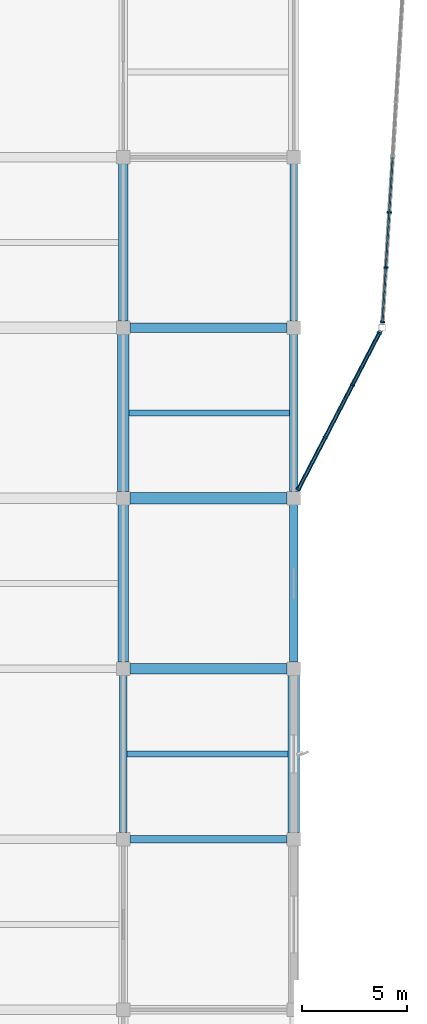
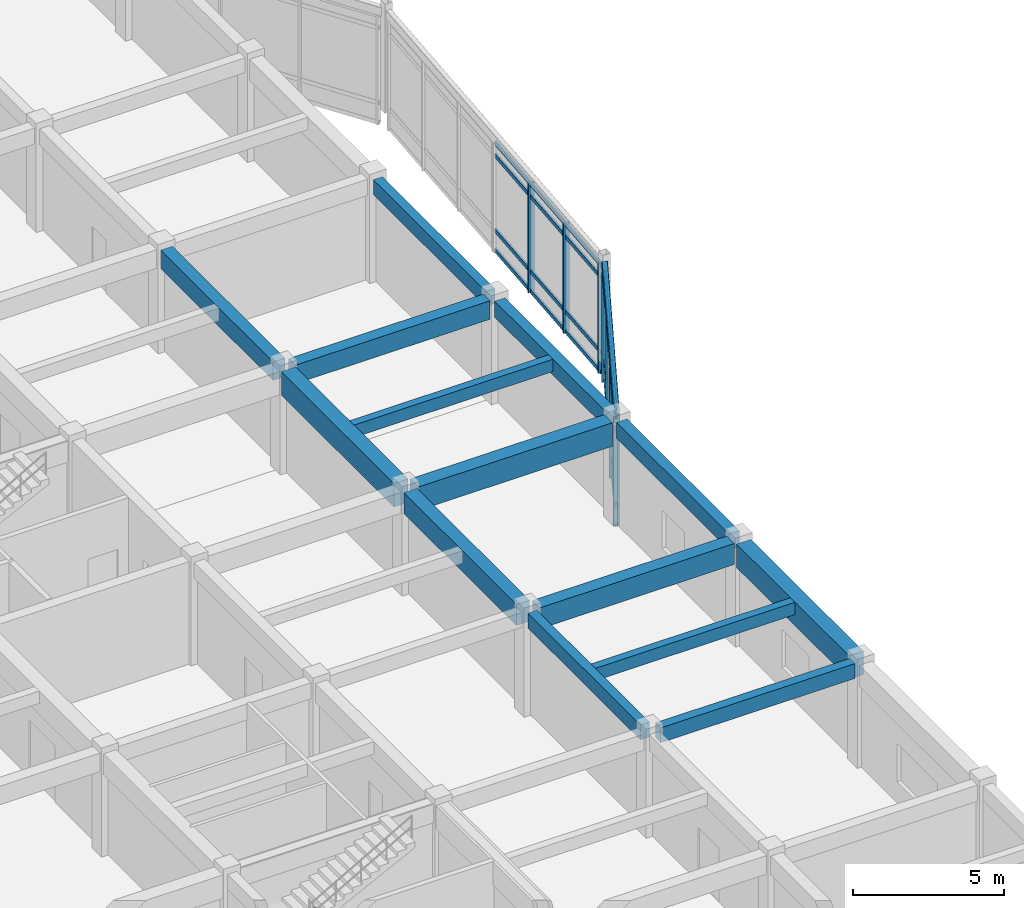
# One storey, part 16 of 40: 15 beams, 15 members, 2 elements without a shape of their own.
"""IFC4 building model written with IfcOpenShell, lengths in metres."""

from ifc_helpers import new_model, si_unit, direction, frame, origin, origin_2d, place, context, subcontext, project, spatial, rectangle, hollow_rectangle, extrude, material, layer, layer_set, material_profile, profile_set, type_object, element, aggregate, save


model = new_model("IFC4")

# Units and contexts
model_context = context("Model", 3, precision=1e-05, world=origin(), true_north=direction((0.0, 1.0)))
body_context = subcontext(model_context, "Body", "Model", "MODEL_VIEW")
ifc_project = project(units=[si_unit("LENGTHUNIT", "METRE"), si_unit("AREAUNIT", "SQUARE_METRE"), si_unit("VOLUMEUNIT", "CUBIC_METRE"), si_unit("PLANEANGLEUNIT", "RADIAN"), si_unit("MASSUNIT", "GRAM", prefix="KILO")], contexts=[model_context])

# Site, building, storey
site_placement = place(None, origin())
site = spatial("IfcSite", under=ifc_project, at=site_placement, CompositionType="ELEMENT")
building_placement = place(site_placement, origin())
building = spatial("IfcBuilding", under=site, at=building_placement, Name="Vaudrelin Polytechnic", CompositionType="ELEMENT")
storey_placement = place(building_placement, frame((0.0, 0.0, 22.949951171875)))
storey = spatial("IfcBuildingStorey", under=building, at=storey_placement, Name="L05", CompositionType="ELEMENT", Elevation=22.949951171875)

# Beams
ifc_material_1 = material(Name="Concrete 40 MPa", Category="concrete")
ifc_material_profile_1 = material_profile(ifc_material_1, rectangle(XDim=0.35009765625, YDim=0.60009765625, at=origin_2d()), Name="RC350x600")
ifc_profile_set_1 = profile_set([ifc_material_profile_1], Name="Concrete 40 MPa")
beam_type_1 = type_object("IfcBeamType", Name="BM-BM-RC3560", PredefinedType="BEAM", material=ifc_profile_set_1)
for number, where, z_axis, x_axis, name in (
    (1, (162.0, 48.909912109375, 3.860107421875), (0.0, 1.0, 0.0), (-1.0, 0.0, 0.0), "L05 Y-beam 21-7"),
    (2, (170.10009765625, 73.2099609375, 3.860107421875), (0.0, 1.0, 0.0), (-1.0, 0.0, 0.0), "L05 Y-beam 22-10"),
):
    element("IfcBeam", number, at=place(storey_placement, frame(where, z_axis=z_axis, x_axis=x_axis)), inside=storey, type_object=beam_type_1, Name=name, PredefinedType="BEAM", context=body_context, shape_type="SweptSolid", body=[
        extrude(rectangle(XDim=0.35009765625, YDim=0.60009765625, at=origin_2d()), origin(), (0.0, 0.0, 1.0), 7.47998046875),
    ])
beam_1_placement = place(storey_placement, frame((162.321044921875, 48.60009765625, 3.860107421875), z_axis=(1.0, 0.0, 0.0), x_axis=(0.0, 1.0, 0.0)))
element("IfcBeam", 3, at=beam_1_placement, inside=storey, type_object=beam_type_1, Name="L05 X-beam 21-7", PredefinedType="BEAM", context=body_context, shape_type="SweptSolid", body=[
    extrude(rectangle(XDim=0.35009765625, YDim=0.60009765625, at=origin_2d()), origin(), (0.0, 0.0, 1.0), 7.4580078125),
])
ifc_material_profile_2 = material_profile(ifc_material_1, rectangle(XDim=0.39990234375, YDim=0.64990234375, at=origin_2d()), Name="RC400x650")
ifc_profile_set_2 = profile_set([ifc_material_profile_2], Name="Concrete 40 MPa")
beam_type_2 = type_object("IfcBeamType", Name="BM-BM-RC4065", PredefinedType="BEAM", material=ifc_profile_set_2)
beam_2_placement = place(storey_placement, frame((170.10009765625, 65.110107421875, 3.8349609375), z_axis=(0.0, 1.0, 0.0), x_axis=(-1.0, 0.0, 0.0)))
element("IfcBeam", 4, at=beam_2_placement, inside=storey, type_object=beam_type_2, Name="L05 Y-beam 22-9", PredefinedType="BEAM", context=body_context, shape_type="SweptSolid", body=[
    extrude(rectangle(XDim=0.39990234375, YDim=0.64990234375, at=origin_2d()), origin(), (0.0, 0.0, 1.0), 7.47998046875),
])
ifc_material_profile_3 = material_profile(ifc_material_1, rectangle(XDim=0.449951171875, YDim=0.75, at=origin_2d()), Name="RC450x750")
ifc_profile_set_3 = profile_set([ifc_material_profile_3], Name="Concrete 40 MPa")
beam_type_3 = type_object("IfcBeamType", Name="BM-BM-RC4575", PredefinedType="BEAM", material=ifc_profile_set_3)
beam_3_placement = place(storey_placement, frame((162.0, 73.2099609375, 3.78515625), z_axis=(0.0, 1.0, 0.0), x_axis=(-1.0, 0.0, 0.0)))
element("IfcBeam", 5, at=beam_3_placement, inside=storey, type_object=beam_type_3, Name="L05 Y-beam 21-10", PredefinedType="BEAM", context=body_context, shape_type="SweptSolid", body=[
    extrude(rectangle(XDim=0.449951171875, YDim=0.75, at=origin_2d()), origin(), (0.0, 0.0, 1.0), 7.47998046875),
])
beam_4_placement = place(storey_placement, frame((162.321044921875, 72.89990234375, 3.78515625), z_axis=(1.0, 0.0, 0.0), x_axis=(0.0, 1.0, 0.0)))
element("IfcBeam", 6, at=beam_4_placement, inside=storey, type_object=beam_type_3, Name="L05 X-beam 21-10", PredefinedType="BEAM", context=body_context, shape_type="SweptSolid", body=[
    extrude(rectangle(XDim=0.449951171875, YDim=0.75, at=origin_2d()), origin(), (0.0, 0.0, 1.0), 7.4580078125),
])
ifc_material_profile_4 = material_profile(ifc_material_1, rectangle(XDim=0.5, YDim=0.85009765625, at=origin_2d()), Name="RC500x850")
ifc_profile_set_4 = profile_set([ifc_material_profile_4], Name="Concrete 40 MPa")
beam_type_4 = type_object("IfcBeamType", Name="BM-BM-RC5085", PredefinedType="BEAM", material=ifc_profile_set_4)
beam_5_placement = place(storey_placement, frame((162.0, 57.010009765625, 3.735107421875), z_axis=(0.0, 1.0, 0.0), x_axis=(-1.0, 0.0, 0.0)))
element("IfcBeam", 7, at=beam_5_placement, inside=storey, type_object=beam_type_4, Name="L05 Y-beam 21-8", PredefinedType="BEAM", context=body_context, shape_type="SweptSolid", body=[
    extrude(rectangle(XDim=0.5, YDim=0.85009765625, at=origin_2d()), origin(), (0.0, 0.0, 1.0), 7.47998046875),
])
beam_6_placement = place(storey_placement, frame((162.321044921875, 56.699951171875, 3.735107421875), z_axis=(1.0, 0.0, 0.0), x_axis=(0.0, 1.0, 0.0)))
element("IfcBeam", 8, at=beam_6_placement, inside=storey, type_object=beam_type_4, Name="L05 X-beam 21-8", PredefinedType="BEAM", context=body_context, shape_type="SweptSolid", body=[
    extrude(rectangle(XDim=0.5, YDim=0.85009765625, at=origin_2d()), origin(), (0.0, 0.0, 1.0), 7.4580078125),
])
ifc_material_2 = material(Name="Concrete 50 MPa", Category="concrete")
ifc_material_profile_5 = material_profile(ifc_material_2, rectangle(XDim=0.550048828125, YDim=0.949951171875, at=origin_2d()), Name="RC550x950")
ifc_profile_set_5 = profile_set([ifc_material_profile_5], Name="Concrete 50 MPa")
beam_type_5 = type_object("IfcBeamType", Name="BM-BM-RC5595", PredefinedType="BEAM", material=ifc_profile_set_5)
for number, where, z_axis, x_axis, name in (
    (9, (162.0, 65.110107421875, 3.68505859375), (0.0, 1.0, 0.0), (-1.0, 0.0, 0.0), "L05 Y-beam 21-9"),
    (10, (170.10009765625, 48.909912109375, 3.68505859375), (0.0, 1.0, 0.0), (-1.0, 0.0, 0.0), "L05 Y-beam 22-7"),
):
    element("IfcBeam", number, at=place(storey_placement, frame(where, z_axis=z_axis, x_axis=x_axis)), inside=storey, type_object=beam_type_5, Name=name, PredefinedType="BEAM", context=body_context, shape_type="SweptSolid", body=[
        extrude(rectangle(XDim=0.550048828125, YDim=0.949951171875, at=origin_2d()), origin(), (0.0, 0.0, 1.0), 7.47998046875),
    ])
beam_7_placement = place(storey_placement, frame((162.321044921875, 64.800048828125, 3.68505859375), z_axis=(1.0, 0.0, 0.0), x_axis=(0.0, 1.0, 0.0)))
element("IfcBeam", 11, at=beam_7_placement, inside=storey, type_object=beam_type_5, Name="L05 X-beam 21-9", PredefinedType="BEAM", context=body_context, shape_type="SweptSolid", body=[
    extrude(rectangle(XDim=0.550048828125, YDim=0.949951171875, at=origin_2d()), origin(), (0.0, 0.0, 1.0), 7.4580078125),
])
ifc_material_profile_6 = material_profile(ifc_material_1, rectangle(XDim=0.300048828125, YDim=0.5, at=origin_2d()), Name="RC300x500")
ifc_profile_set_6 = profile_set([ifc_material_profile_6], Name="Concrete 40 MPa")
beam_type_6 = type_object("IfcBeamType", Name="BM-JS-RC3050", PredefinedType="JOIST", material=ifc_profile_set_6)
beam_8_placement = place(storey_placement, frame((162.1708984375, 52.64990234375, 3.91015625), z_axis=(1.0, 0.0, 0.0), x_axis=(0.0, 1.0, 0.0)))
element("IfcBeam", 12, at=beam_8_placement, inside=storey, type_object=beam_type_6, Name="L05 floor joist 21-7", PredefinedType="JOIST", context=body_context, shape_type="SweptSolid", body=[
    extrude(rectangle(XDim=0.300048828125, YDim=0.5, at=origin_2d()), origin(), (0.0, 0.0, 1.0), 7.658203125),
])
beam_9_placement = place(storey_placement, frame((162.27099609375, 68.85009765625, 3.91015625), z_axis=(1.0, 0.0, 0.0), x_axis=(0.0, 1.0, 0.0)))
element("IfcBeam", 13, at=beam_9_placement, inside=storey, type_object=beam_type_6, Name="L05 floor joist 21-9", PredefinedType="JOIST", context=body_context, shape_type="SweptSolid", body=[
    extrude(rectangle(XDim=0.300048828125, YDim=0.5, at=origin_2d()), origin(), (0.0, 0.0, 1.0), 7.633056640625),
])
ifc_material_3 = material(Name="Steel CSA G40.21 350WT", Category="steel")
ifc_material_profile_7 = material_profile(ifc_material_3, hollow_rectangle(XDim=0.202880859375, YDim=0.35595703125, WallThickness=0.0126953125, InnerFilletRadius=0.0126953125, OuterFilletRadius=0.025390625, at=origin_2d()), Name="HSS356x203x12.7")
ifc_profile_set_7 = profile_set([ifc_material_profile_7], Name="Steel CSA G40.21 350WT")
beam_type_7 = type_object("IfcBeamType", Name="BM-SP-HSS35", PredefinedType="SPANDREL", material=ifc_profile_set_7)
beam_10_placement = place(storey_placement, frame((170.164306640625, 64.92431640625, 3.98193359375), z_axis=(0.460338114153, 0.887743668329, 0.0), x_axis=(-0.887743668329, 0.460338114153, 0.0)))
element("IfcBeam", 14, at=beam_10_placement, inside=storey, type_object=beam_type_7, Name="Sculptural edge beam L05 E_OR2_B1", PredefinedType="SPANDREL", context=body_context, shape_type="SweptSolid", body=[
    extrude(hollow_rectangle(XDim=0.202880859375, YDim=0.35595703125, WallThickness=0.0126953125, InnerFilletRadius=0.0126953125, OuterFilletRadius=0.025390625, at=origin_2d()), origin(), (0.0, 0.0, 1.0), 8.84423828125),
])
ifc_material_profile_8 = material_profile(ifc_material_1, rectangle(XDim=0.39990234375, YDim=0.64990234375, at=origin_2d()), Name="RC400x650")
ifc_profile_set_8 = profile_set([ifc_material_profile_8], Name="Concrete 40 MPa")
beam_type_8 = type_object("IfcBeamType", Name="BM-SP-RC4065", PredefinedType="SPANDREL", material=ifc_profile_set_8)
beam_11_placement = place(storey_placement, frame((170.10009765625, 57.010009765625, 3.8349609375), z_axis=(0.0, 1.0, 0.0), x_axis=(-1.0, 0.0, 0.0)))
element("IfcBeam", 15, at=beam_11_placement, inside=storey, type_object=beam_type_8, Name="L05 Y-beam 22-8", PredefinedType="SPANDREL", context=body_context, shape_type="SweptSolid", body=[
    extrude(rectangle(XDim=0.39990234375, YDim=0.64990234375, at=origin_2d()), origin(), (0.0, 0.0, 1.0), 7.47998046875),
])

# Curtain wall, members
ifc_material_4 = material(Name="Thermally broken anodised aluminium AA 6063-T6 and low-e triple glazing", Category="aluminium")
ifc_layer = layer(ifc_material_4, 0.199951171875)
ifc_layer_set = layer_set([ifc_layer], Name="Thermally broken anodised aluminium AA 6063-T6 and low-e triple glazing")
curtain_wall_type = type_object("IfcCurtainWallType", Name="CW-CW-LAB", PredefinedType="USERDEFINED", material=ifc_layer_set)
curtain_wall_1_placement = place(storey_placement, origin())
curtain_wall_1 = element("IfcCurtainWall", 16, at=curtain_wall_1_placement, inside=storey, type_object=curtain_wall_type, Name="Curtain wall L05 E_OR2_1_0", ObjectType="CURTAIN WALL", PredefinedType="USERDEFINED")
ifc_material_5 = material(Name="Anodised aluminium AA 6063-T6", Category="aluminium")
ifc_material_profile_9 = material_profile(ifc_material_5, rectangle(XDim=0.074951171875, YDim=0.219970703125, at=origin_2d()), Name="CWM-75x220")
ifc_profile_set_9 = profile_set([ifc_material_profile_9], Name="Anodised aluminium AA 6063-T6")
member_type_1 = type_object("IfcMemberType", Name="MEM-CWM-220", PredefinedType="MULLION", material=ifc_profile_set_9)
member_1_placement = place(storey_placement, frame((170.325927734375, 65.236083984375, -0.6298828125), z_axis=(0.0, 0.0, 1.0), x_axis=(0.460325488129, 0.88775021542, 0.0)))
member_1 = element("IfcMember", 17, at=member_1_placement, type_object=member_type_1, Name="E_OR2_1_0 mullion 1", PredefinedType="MULLION", context=body_context, shape_type="SweptSolid", body=[
    extrude(rectangle(XDim=0.074951171875, YDim=0.219970703125, at=origin_2d()), origin(), (0.0, 0.0, 1.0), 4.43994140625),
])
member_2_placement = place(storey_placement, frame((171.59912109375, 67.69091796875, -0.6298828125), z_axis=(0.0, 0.0, 1.0), x_axis=(0.460325488129, 0.88775021542, 0.0)))
member_2 = element("IfcMember", 18, at=member_2_placement, type_object=member_type_1, Name="E_OR2_1_0 mullion 2", PredefinedType="MULLION", context=body_context, shape_type="SweptSolid", body=[
    extrude(rectangle(XDim=0.074951171875, YDim=0.219970703125, at=origin_2d()), origin(), (0.0, 0.0, 1.0), 4.43994140625),
])
member_3_placement = place(storey_placement, frame((172.890380859375, 70.181396484375, -0.6298828125), z_axis=(0.0, 0.0, 1.0), x_axis=(0.460325488129, 0.88775021542, 0.0)))
member_3 = element("IfcMember", 19, at=member_3_placement, type_object=member_type_1, Name="E_OR2_1_0 mullion 3", PredefinedType="MULLION", context=body_context, shape_type="SweptSolid", body=[
    extrude(rectangle(XDim=0.074951171875, YDim=0.219970703125, at=origin_2d()), origin(), (0.0, 0.0, 1.0), 4.43994140625),
])
member_4_placement = place(storey_placement, frame((174.163330078125, 72.636474609375, -0.6298828125), z_axis=(0.0, 0.0, 1.0), x_axis=(0.460325488129, 0.88775021542, 0.0)))
member_4 = element("IfcMember", 20, at=member_4_placement, type_object=member_type_1, Name="E_OR2_1_0 mullion 4", PredefinedType="MULLION", context=body_context, shape_type="SweptSolid", body=[
    extrude(rectangle(XDim=0.074951171875, YDim=0.219970703125, at=origin_2d()), origin(), (0.0, 0.0, 1.0), 4.43994140625),
])

curtain_wall_2_placement = place(storey_placement, origin())
curtain_wall_2 = element("IfcCurtainWall", 21, at=curtain_wall_2_placement, inside=storey, type_object=curtain_wall_type, Name="Curtain wall L05 E_OR2_2_0", ObjectType="CURTAIN WALL", PredefinedType="USERDEFINED")
member_5_placement = place(storey_placement, frame((174.317138671875, 73.17724609375, -0.6298828125), z_axis=(0.0, 0.0, 1.0), x_axis=(0.061604568165, 0.998100634797, 0.0)))
member_5 = element("IfcMember", 22, at=member_5_placement, type_object=member_type_1, Name="E_OR2_2_0 mullion 1", PredefinedType="MULLION", context=body_context, shape_type="SweptSolid", body=[
    extrude(rectangle(XDim=0.074951171875, YDim=0.219970703125, at=origin_2d()), origin(), (0.0, 0.0, 1.0), 4.43994140625),
])
member_6_placement = place(storey_placement, frame((174.4765625, 75.75830078125, -0.6298828125), z_axis=(0.0, 0.0, 1.0), x_axis=(0.061604568165, 0.998100634797, 0.0)))
member_6 = element("IfcMember", 23, at=member_6_placement, type_object=member_type_1, Name="E_OR2_2_0 mullion 2", PredefinedType="MULLION", context=body_context, shape_type="SweptSolid", body=[
    extrude(rectangle(XDim=0.074951171875, YDim=0.219970703125, at=origin_2d()), origin(), (0.0, 0.0, 1.0), 4.43994140625),
])
member_7_placement = place(storey_placement, frame((174.63818359375, 78.379150390625, -0.6298828125), z_axis=(0.0, 0.0, 1.0), x_axis=(0.061604568165, 0.998100634797, 0.0)))
member_7 = element("IfcMember", 24, at=member_7_placement, type_object=member_type_1, Name="E_OR2_2_0 mullion 3", PredefinedType="MULLION", context=body_context, shape_type="SweptSolid", body=[
    extrude(rectangle(XDim=0.074951171875, YDim=0.219970703125, at=origin_2d()), origin(), (0.0, 0.0, 1.0), 4.43994140625),
])

# Member
ifc_material_profile_10 = material_profile(ifc_material_5, rectangle(XDim=0.074951171875, YDim=0.1650390625, at=origin_2d()), Name="CWT-75x165")
ifc_profile_set_10 = profile_set([ifc_material_profile_10], Name="Anodised aluminium AA 6063-T6")
member_type_2 = type_object("IfcMemberType", Name="MEM-CWT-165", PredefinedType="USERDEFINED", material=ifc_profile_set_10)
member_8_placement = place(storey_placement, frame((170.3076171875, 65.200439453125, -0.579833984375), z_axis=(0.460323091422, 0.887751458182, 0.0), x_axis=(-0.887751458182, 0.460323091422, 0.0)))
member_8 = element("IfcMember", 25, at=member_8_placement, type_object=member_type_2, Name="E_OR2_1_0 transom 1", ObjectType="TRANSOM", PredefinedType="USERDEFINED", context=body_context, shape_type="SweptSolid", body=[
    extrude(rectangle(XDim=0.074951171875, YDim=0.1650390625, at=origin_2d()), origin(), (0.0, 0.0, 1.0), 8.41650390625),
])

member_9_placement = place(storey_placement, frame((170.3076171875, 65.200439453125, 0.219970703125), z_axis=(0.460323091422, 0.887751458182, 0.0), x_axis=(-0.887751458182, 0.460323091422, 0.0)))
member_9 = element("IfcMember", 26, at=member_9_placement, type_object=member_type_2, Name="E_OR2_1_0 transom 2", ObjectType="TRANSOM", PredefinedType="USERDEFINED", context=body_context, shape_type="SweptSolid", body=[
    extrude(rectangle(XDim=0.074951171875, YDim=0.1650390625, at=origin_2d()), origin(), (0.0, 0.0, 1.0), 8.41650390625),
])

member_10_placement = place(storey_placement, frame((170.3076171875, 65.200439453125, 3.260009765625), z_axis=(0.460323091422, 0.887751458182, 0.0), x_axis=(-0.887751458182, 0.460323091422, 0.0)))
member_10 = element("IfcMember", 27, at=member_10_placement, type_object=member_type_2, Name="E_OR2_1_0 transom 3", ObjectType="TRANSOM", PredefinedType="USERDEFINED", context=body_context, shape_type="SweptSolid", body=[
    extrude(rectangle(XDim=0.074951171875, YDim=0.1650390625, at=origin_2d()), origin(), (0.0, 0.0, 1.0), 8.41650390625),
])

member_11_placement = place(storey_placement, frame((170.3076171875, 65.200439453125, 3.760009765625), z_axis=(0.460323091422, 0.887751458182, 0.0), x_axis=(-0.887751458182, 0.460323091422, 0.0)))
member_11 = element("IfcMember", 28, at=member_11_placement, type_object=member_type_2, Name="E_OR2_1_0 transom 4", ObjectType="TRANSOM", PredefinedType="USERDEFINED", context=body_context, shape_type="SweptSolid", body=[
    extrude(rectangle(XDim=0.074951171875, YDim=0.1650390625, at=origin_2d()), origin(), (0.0, 0.0, 1.0), 8.41650390625),
])

aggregate(curtain_wall_1, [member_1, member_2, member_3, member_4, member_8, member_9, member_10, member_11])

member_12_placement = place(storey_placement, frame((174.314697265625, 73.13720703125, -0.579833984375), z_axis=(0.061610363004, 0.998100277112, 0.0), x_axis=(-0.998100277112, 0.061610363004, 0.0)))
member_12 = element("IfcMember", 29, at=member_12_placement, type_object=member_type_2, Name="E_OR2_2_0 transom 1", ObjectType="TRANSOM", PredefinedType="USERDEFINED", context=body_context, shape_type="SweptSolid", body=[
    extrude(rectangle(XDim=0.074951171875, YDim=0.1650390625, at=origin_2d()), origin(), (0.0, 0.0, 1.0), 7.877685546875),
])

member_13_placement = place(storey_placement, frame((174.314697265625, 73.13720703125, 0.219970703125), z_axis=(0.061610363004, 0.998100277112, 0.0), x_axis=(-0.998100277112, 0.061610363004, 0.0)))
member_13 = element("IfcMember", 30, at=member_13_placement, type_object=member_type_2, Name="E_OR2_2_0 transom 2", ObjectType="TRANSOM", PredefinedType="USERDEFINED", context=body_context, shape_type="SweptSolid", body=[
    extrude(rectangle(XDim=0.074951171875, YDim=0.1650390625, at=origin_2d()), origin(), (0.0, 0.0, 1.0), 7.877685546875),
])

member_14_placement = place(storey_placement, frame((174.314697265625, 73.13720703125, 3.260009765625), z_axis=(0.061610363004, 0.998100277112, 0.0), x_axis=(-0.998100277112, 0.061610363004, 0.0)))
member_14 = element("IfcMember", 31, at=member_14_placement, type_object=member_type_2, Name="E_OR2_2_0 transom 3", ObjectType="TRANSOM", PredefinedType="USERDEFINED", context=body_context, shape_type="SweptSolid", body=[
    extrude(rectangle(XDim=0.074951171875, YDim=0.1650390625, at=origin_2d()), origin(), (0.0, 0.0, 1.0), 7.877685546875),
])

member_15_placement = place(storey_placement, frame((174.314697265625, 73.13720703125, 3.760009765625), z_axis=(0.061610363004, 0.998100277112, 0.0), x_axis=(-0.998100277112, 0.061610363004, 0.0)))
member_15 = element("IfcMember", 32, at=member_15_placement, type_object=member_type_2, Name="E_OR2_2_0 transom 4", ObjectType="TRANSOM", PredefinedType="USERDEFINED", context=body_context, shape_type="SweptSolid", body=[
    extrude(rectangle(XDim=0.074951171875, YDim=0.1650390625, at=origin_2d()), origin(), (0.0, 0.0, 1.0), 7.877685546875),
])

aggregate(curtain_wall_2, [member_5, member_6, member_7, member_12, member_13, member_14, member_15])

save(model, "model.ifc")
